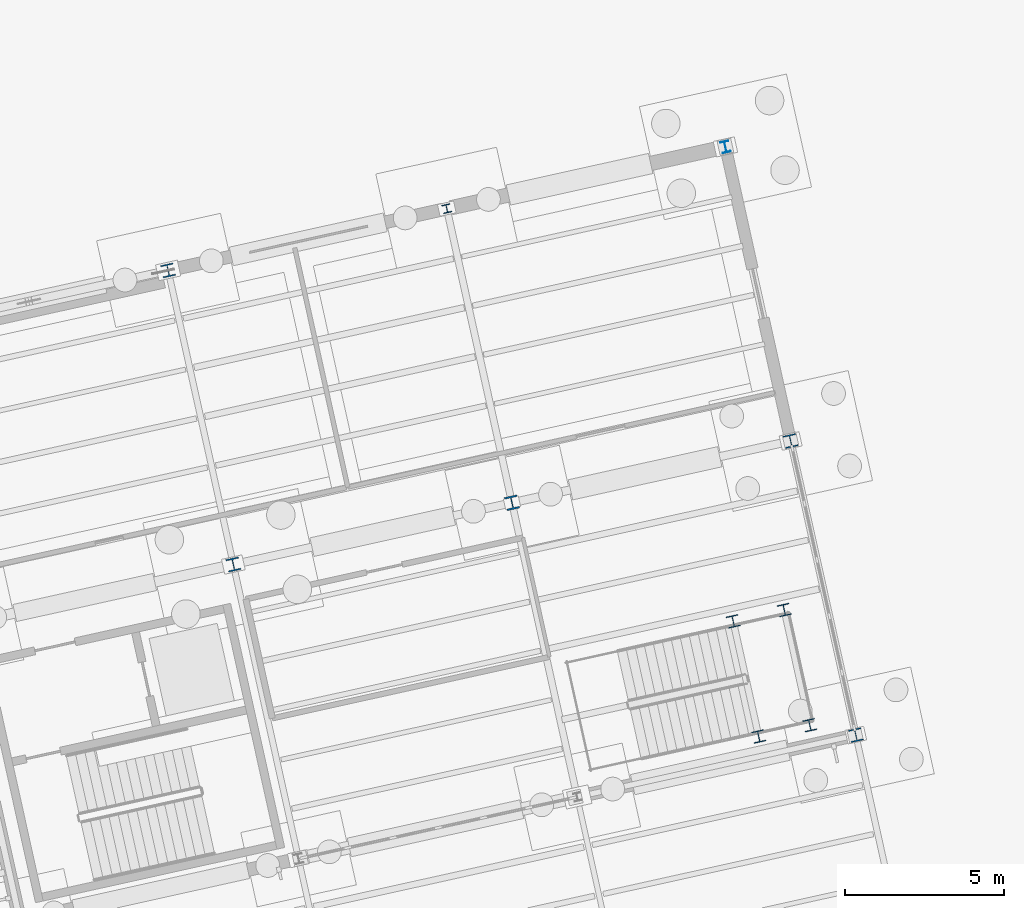
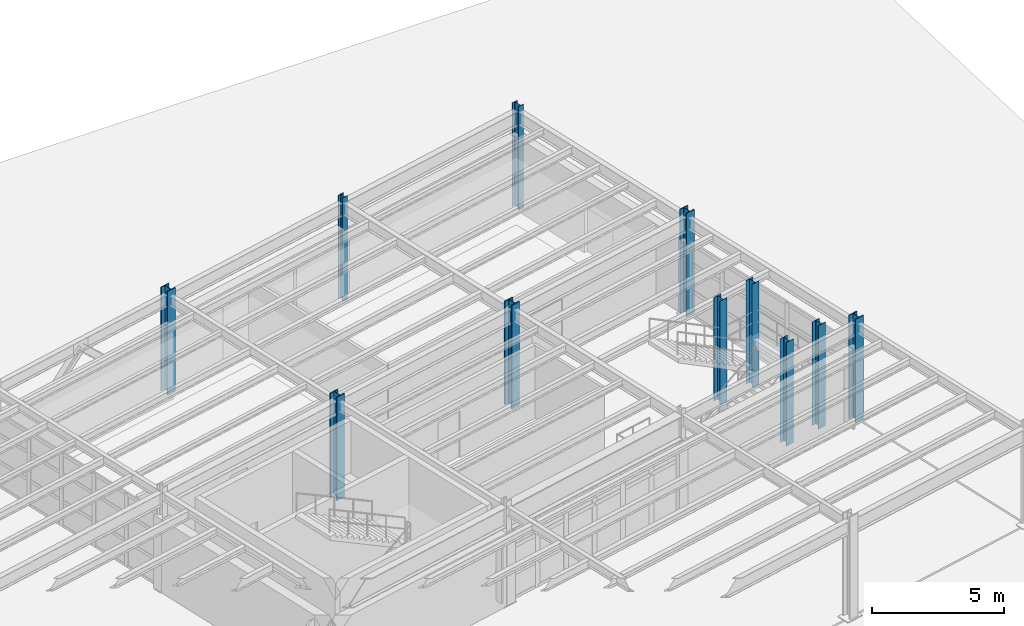
# One storey, part 31 of 108: 11 columns.
"""IFC4 building model written with IfcOpenShell, lengths in metres."""

from ifc_helpers import new_model, si_unit, direction, frame, origin, origin_2d, place, context, subcontext, project, spatial, i_section, extrude, material, material_profile, profile_set, type_object, element, save


model = new_model("IFC4")

# Units and contexts
model_context = context("Model", 3, precision=1e-05, world=origin(), true_north=direction((0.0, 1.0)))
body_context = subcontext(model_context, "Body", "Model", "MODEL_VIEW")
ifc_project = project(units=[si_unit("LENGTHUNIT", "METRE"), si_unit("AREAUNIT", "SQUARE_METRE"), si_unit("VOLUMEUNIT", "CUBIC_METRE"), si_unit("PLANEANGLEUNIT", "RADIAN"), si_unit("MASSUNIT", "GRAM", prefix="KILO")], contexts=[model_context])

# Site, building, storey
site_placement = place(None, origin())
site = spatial("IfcSite", under=ifc_project, at=site_placement, CompositionType="ELEMENT")
building_placement = place(site_placement, origin())
building = spatial("IfcBuilding", under=site, at=building_placement, Name="Vireo Bluff Cable Station", CompositionType="ELEMENT")
storey_placement = place(building_placement, origin())
storey = spatial("IfcBuildingStorey", under=building, at=storey_placement, Name="L00", CompositionType="ELEMENT", Elevation=0.0)

# Columns
ifc_material = material(Name="Steel ASTM A992 Gr. 50", Category="steel")
ifc_material_profile_1 = material_profile(ifc_material, i_section(OverallWidth=0.404052734375, OverallDepth=0.406005859375, WebThickness=0.027099609375, FlangeThickness=0.043701171875, FilletRadius=0.014892578125, at=origin_2d()), Name="W14X233")
ifc_profile_set_1 = profile_set([ifc_material_profile_1], Name="Steel ASTM A992 Gr. 50")
column_type_1 = type_object("IfcColumnType", Name="COL-W14X233", PredefinedType="COLUMN", material=ifc_profile_set_1)
column_1_placement = place(storey_placement, frame((139.4609375, 96.445556640625, 0.0), z_axis=(0.0, 0.0, 1.0), x_axis=(0.97629600712, 0.216439613938, 0.0)))
element("IfcColumn", 1, at=column_1_placement, inside=storey, type_object=column_type_1, Name="V2 L00 column 157", PredefinedType="COLUMN", context=body_context, shape_type="SweptSolid", body=[
    extrude(i_section(OverallWidth=0.404052734375, OverallDepth=0.406005859375, WebThickness=0.027099609375, FlangeThickness=0.043701171875, FilletRadius=0.014892578125, at=origin_2d()), origin(), (0.0, 0.0, 1.0), 4.800048828125),
])
ifc_material_profile_2 = material_profile(ifc_material, i_section(OverallWidth=0.408935546875, OverallDepth=0.424072265625, WebThickness=0.03271484375, FlangeThickness=0.052490234375, FilletRadius=0.014892578125, at=origin_2d()), Name="W14X283")
ifc_profile_set_2 = profile_set([ifc_material_profile_2], Name="Steel ASTM A992 Gr. 50")
column_type_2 = type_object("IfcColumnType", Name="COL-W14X283", PredefinedType="COLUMN", material=ifc_profile_set_2)
column_2_placement = place(storey_placement, frame((148.24755859375, 98.3935546875, 0.0), z_axis=(0.0, 0.0, 1.0), x_axis=(0.97629600712, 0.216439613938, 0.0)))
element("IfcColumn", 2, at=column_2_placement, inside=storey, type_object=column_type_2, Name="V2 L00 column 172", PredefinedType="COLUMN", context=body_context, shape_type="SweptSolid", body=[
    extrude(i_section(OverallWidth=0.408935546875, OverallDepth=0.424072265625, WebThickness=0.03271484375, FlangeThickness=0.052490234375, FilletRadius=0.014892578125, at=origin_2d()), origin(), (0.0, 0.0, 1.0), 4.800048828125),
])
ifc_material_profile_3 = material_profile(ifc_material, i_section(OverallWidth=0.367919921875, OverallDepth=0.35595703125, WebThickness=0.01123046875, FlangeThickness=0.01806640625, FilletRadius=0.014892578125, at=origin_2d()), Name="W14X90")
ifc_profile_set_3 = profile_set([ifc_material_profile_3], Name="Steel ASTM A992 Gr. 50")
column_type_3 = type_object("IfcColumnType", Name="COL-W14X90", PredefinedType="COLUMN", material=ifc_profile_set_3)
for number, where, z_axis, x_axis, name in (
    (3, (156.02734375, 91.022705078125, 0.0), (0.0, 0.0, 1.0), (0.97629600712, 0.216439613938, 0.0), "ST-09 L00 landing support column 1"),
    (4, (157.63818359375, 91.379638671875, 0.0), (0.0, 0.0, 1.0), (0.97629600712, 0.216439613938, 0.0), "ST-09 L00 landing support column 2"),
    (5, (155.22216796875, 94.654541015625, 0.0), (0.0, 0.0, 1.0), (0.97629600712, 0.216439613938, 0.0), "ST-09 L00 landing support column 3"),
    (6, (156.833251953125, 95.011474609375, 0.0), (0.0, 0.0, 1.0), (0.97629600712, 0.216439613938, 0.0), "ST-09 L00 landing support column 4"),
):
    element("IfcColumn", number, at=place(storey_placement, frame(where, z_axis=z_axis, x_axis=x_axis)), inside=storey, type_object=column_type_3, Name=name, PredefinedType="COLUMN", context=body_context, shape_type="SweptSolid", body=[
        extrude(i_section(OverallWidth=0.367919921875, OverallDepth=0.35595703125, WebThickness=0.01123046875, FlangeThickness=0.01806640625, FilletRadius=0.014892578125, at=origin_2d()), origin(), (0.0, 0.0, 1.0), 4.800048828125),
    ])
ifc_material_profile_4 = material_profile(ifc_material, i_section(OverallWidth=0.40087890625, OverallDepth=0.39892578125, WebThickness=0.02490234375, FlangeThickness=0.03955078125, FilletRadius=0.014892578125, at=origin_2d()), Name="W14X211")
ifc_profile_set_4 = profile_set([ifc_material_profile_4], Name="Steel ASTM A992 Gr. 50")
column_type_4 = type_object("IfcColumnType", Name="ECOL-W14X211", PredefinedType="COLUMN", material=ifc_profile_set_4)
for number, where, z_axis, x_axis, name in (
    (7, (137.40478515625, 105.720458984375, 0.0), (0.0, 0.0, 1.0), (0.97629600712, 0.216439613938, 0.0), "V2 L00 column 161"),
    (8, (159.090576171875, 91.066650390625, 0.0), (0.0, 0.0, 1.0), (0.97629600712, 0.216439613938, 0.0), "V2 L00 column 183"),
    (9, (157.034423828125, 100.341552734375, 0.0), (0.0, 0.0, 1.0), (0.97629600712, 0.216439613938, 0.0), "V2 L00 column 187"),
):
    element("IfcColumn", number, at=place(storey_placement, frame(where, z_axis=z_axis, x_axis=x_axis)), inside=storey, type_object=column_type_4, Name=name, PredefinedType="COLUMN", context=body_context, shape_type="SweptSolid", body=[
        extrude(i_section(OverallWidth=0.40087890625, OverallDepth=0.39892578125, WebThickness=0.02490234375, FlangeThickness=0.03955078125, FilletRadius=0.014892578125, at=origin_2d()), origin(), (0.0, 0.0, 1.0), 4.800048828125),
    ])
ifc_material_profile_5 = material_profile(ifc_material, i_section(OverallWidth=0.257080078125, OverallDepth=0.263916015625, WebThickness=0.011962890625, FlangeThickness=0.01953125, FilletRadius=0.009033203125, at=origin_2d()), Name="W10X68")
ifc_profile_set_5 = profile_set([ifc_material_profile_5], Name="Steel ASTM A992 Gr. 50")
column_type_5 = type_object("IfcColumnType", Name="PIL-W10X68", PredefinedType="PILASTER", material=ifc_profile_set_5)
column_3_placement = place(storey_placement, frame((146.19140625, 107.668212890625, 0.0), z_axis=(0.0, 0.0, 1.0), x_axis=(0.97629600712, 0.216439613938, 0.0)))
element("IfcColumn", 10, at=column_3_placement, inside=storey, type_object=column_type_5, Name="V2 L00 column 176", PredefinedType="PILASTER", context=body_context, shape_type="SweptSolid", body=[
    extrude(i_section(OverallWidth=0.257080078125, OverallDepth=0.263916015625, WebThickness=0.011962890625, FlangeThickness=0.01953125, FilletRadius=0.009033203125, at=origin_2d()), origin(), (0.0, 0.0, 1.0), 4.800048828125),
])
ifc_material_profile_6 = material_profile(ifc_material, i_section(OverallWidth=0.25390625, OverallDepth=0.35302734375, WebThickness=0.009521484375, FlangeThickness=0.016357421875, FilletRadius=0.011962890625, at=origin_2d()), Name="W14X61")
ifc_profile_set_6 = profile_set([ifc_material_profile_6], Name="Steel ASTM A992 Gr. 50")
column_type_6 = type_object("IfcColumnType", Name="PIL-W14X61", PredefinedType="PILASTER", material=ifc_profile_set_6)
column_4_placement = place(storey_placement, frame((154.97802734375, 109.6162109375, 0.0), z_axis=(0.0, 0.0, 1.0), x_axis=(0.97629600712, 0.216439613938, 0.0)))
element("IfcColumn", 11, at=column_4_placement, inside=storey, type_object=column_type_6, Name="V2 L00 column 191", PredefinedType="PILASTER", context=body_context, shape_type="SweptSolid", body=[
    extrude(i_section(OverallWidth=0.25390625, OverallDepth=0.35302734375, WebThickness=0.009521484375, FlangeThickness=0.016357421875, FilletRadius=0.011962890625, at=origin_2d()), origin(), (0.0, 0.0, 1.0), 4.800048828125),
])

save(model, "model.ifc")
